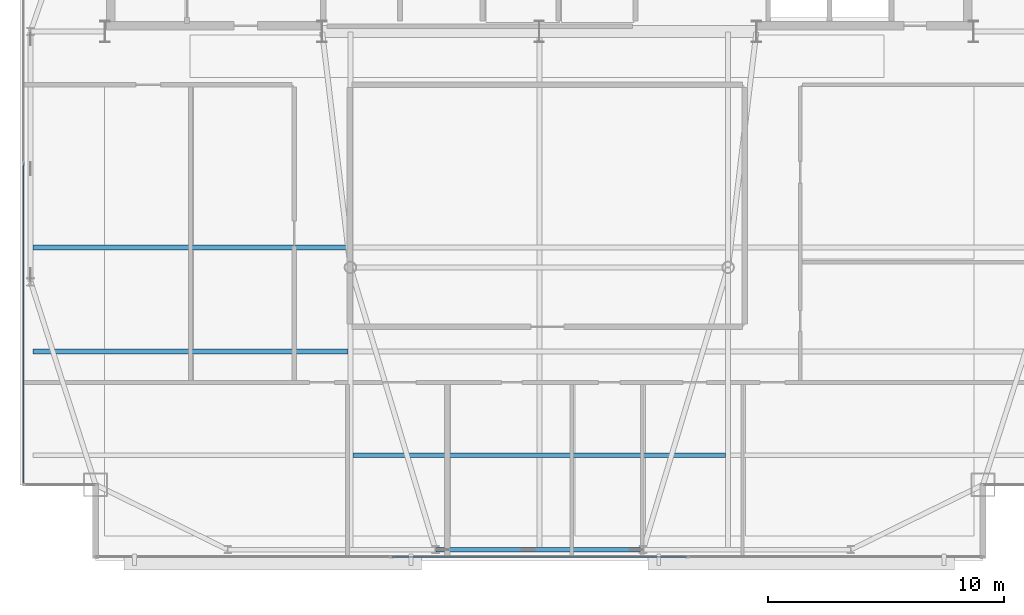
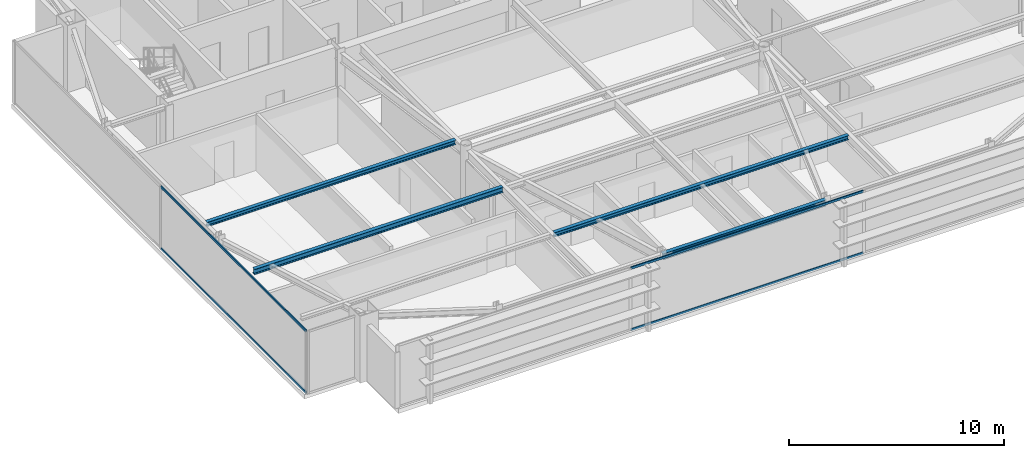
# One storey, part 7 of 24: 4 beams, 4 members, 2 elements without a shape of their own.
"""IFC4 building model written with IfcOpenShell, lengths in metres."""

from ifc_helpers import new_model, si_unit, direction, frame, origin, origin_2d, place, context, subcontext, project, spatial, hollow_rectangle, i_section, extrude, source, transform, mapped, material, layer, layer_set, material_profile, profile_set, type_object, type_shapes, element, aggregate, save


model = new_model("IFC4")

# Units and contexts
model_context = context("Model", 3, precision=1e-05, world=origin(), true_north=direction((0.0, 1.0)))
body_context = subcontext(model_context, "Body", "Model", "MODEL_VIEW")
ifc_project = project(units=[si_unit("LENGTHUNIT", "METRE"), si_unit("AREAUNIT", "SQUARE_METRE"), si_unit("VOLUMEUNIT", "CUBIC_METRE"), si_unit("PLANEANGLEUNIT", "RADIAN"), si_unit("MASSUNIT", "GRAM", prefix="KILO")], contexts=[model_context])

# Site, building, storey
site_placement = place(None, origin())
site = spatial("IfcSite", under=ifc_project, at=site_placement, CompositionType="ELEMENT")
building_placement = place(site_placement, origin())
building = spatial("IfcBuilding", under=site, at=building_placement, Name="Varnel Quay Broadcast Tower", CompositionType="ELEMENT")
storey_placement = place(building_placement, frame((0.0, 0.0, 292.60009765625)))
storey = spatial("IfcBuildingStorey", under=building, at=storey_placement, Name="L73", CompositionType="ELEMENT", Elevation=292.60009765625)

# Beams
ifc_material_1 = material(Name="Structural Steel CSA G40.21 350W", Category="steel")
ifc_material_profile_1 = material_profile(ifc_material_1, i_section(OverallWidth=0.205078125, OverallDepth=0.35400390625, WebThickness=0.009521484375, FlangeThickness=0.016845703125, FilletRadius=0.012939453125, at=origin_2d()), Name="W360X79")
ifc_profile_set_1 = profile_set([ifc_material_profile_1], Name="Structural Steel CSA G40.21 350W")
beam_type_1 = type_object("IfcBeamType", Name="Beam_W360X79", PredefinedType="SPANDREL", material=ifc_profile_set_1)
shared_shape_1 = source(origin(), body_context, "Body", "SweptSolid", [
    extrude(i_section(OverallWidth=0.205078125, OverallDepth=0.35400390625, WebThickness=0.009521484375, FlangeThickness=0.016845703125, FilletRadius=0.012939453125, at=origin_2d()), origin(), (0.0, 0.0, 1.0), 8.759765625),
])
type_shapes(beam_type_1, [shared_shape_1])
beam_1_placement = place(storey_placement, frame((29.6201171875, 13.64990234375, 3.372802734375), z_axis=(1.0, 0.0, 0.0), x_axis=(0.0, 1.0, 0.0)))
element("IfcBeam", 1, at=beam_1_placement, inside=storey, type_object=beam_type_1, Name="L73 South Spandrel TC-S2-TC-S3", PredefinedType="SPANDREL", context=body_context, shape_type="MappedRepresentation", body=[
    mapped(shared_shape_1, transform((0.0, 0.0, 0.0), x_axis=(1.0, 0.0, 0.0), y_axis=(0.0, 1.0, 0.0), z_axis=(0.0, 0.0, 1.0), scale=1.0)),
])
ifc_material_profile_2 = material_profile(ifc_material_1, i_section(OverallWidth=0.201904296875, OverallDepth=0.2470703125, WebThickness=0.00732421875, FlangeThickness=0.010986328125, FilletRadius=0.010986328125, at=origin_2d()), Name="W250X49")
ifc_profile_set_2 = profile_set([ifc_material_profile_2], Name="Structural Steel CSA G40.21 350W")
beam_type_2 = type_object("IfcBeamType", Name="Beam_W250X49", PredefinedType="JOIST", material=ifc_profile_set_2)
shared_shape_2 = source(origin(), body_context, "Body", "SweptSolid", [
    extrude(i_section(OverallWidth=0.201904296875, OverallDepth=0.2470703125, WebThickness=0.00732421875, FlangeThickness=0.010986328125, FilletRadius=0.010986328125, at=origin_2d()), origin(), (0.0, 0.0, 1.0), 13.351318359375),
])
beam_2_placement = place(storey_placement, frame((12.547607421875, 26.449951171875, 3.426513671875), z_axis=(1.0, 0.0, 0.0), x_axis=(0.0, 1.0, 0.0)))
element("IfcBeam", 2, at=beam_2_placement, inside=storey, type_object=beam_type_2, Name="L73 West Floor Joist 3", PredefinedType="JOIST", context=body_context, shape_type="MappedRepresentation", body=[
    mapped(shared_shape_2, transform((0.0, 0.0, 0.0), x_axis=(1.0, 0.0, 0.0), y_axis=(0.0, 1.0, 0.0), z_axis=(0.0, 0.0, 1.0), scale=1.0)),
])
shared_shape_3 = source(origin(), body_context, "Body", "SweptSolid", [
    extrude(i_section(OverallWidth=0.201904296875, OverallDepth=0.2470703125, WebThickness=0.00732421875, FlangeThickness=0.010986328125, FilletRadius=0.010986328125, at=origin_2d()), origin(), (0.0, 0.0, 1.0), 15.7978515625),
])
type_shapes(beam_type_2, [shared_shape_2, shared_shape_3])
beam_3_placement = place(storey_placement, frame((26.10107421875, 17.64990234375, 3.426513671875), z_axis=(1.0, 0.0, 0.0), x_axis=(0.0, 1.0, 0.0)))
element("IfcBeam", 3, at=beam_3_placement, inside=storey, type_object=beam_type_2, Name="L73 Central Floor Joist 1", PredefinedType="JOIST", context=body_context, shape_type="MappedRepresentation", body=[
    mapped(shared_shape_3, transform((0.0, 0.0, 0.0), x_axis=(1.0, 0.0, 0.0), y_axis=(0.0, 1.0, 0.0), z_axis=(0.0, 0.0, 1.0), scale=1.0)),
])
ifc_material_profile_3 = material_profile(ifc_material_1, i_section(OverallWidth=0.202880859375, OverallDepth=0.302978515625, WebThickness=0.007568359375, FlangeThickness=0.01318359375, FilletRadius=0.011962890625, at=origin_2d()), Name="W310X60")
ifc_profile_set_3 = profile_set([ifc_material_profile_3], Name="Structural Steel CSA G40.21 350W")
beam_type_3 = type_object("IfcBeamType", Name="Beam_W310X60", PredefinedType="JOIST", material=ifc_profile_set_3)
shared_shape_4 = source(origin(), body_context, "Body", "SweptSolid", [
    extrude(i_section(OverallWidth=0.202880859375, OverallDepth=0.302978515625, WebThickness=0.007568359375, FlangeThickness=0.01318359375, FilletRadius=0.011962890625, at=origin_2d()), origin(), (0.0, 0.0, 1.0), 13.351318359375),
])
type_shapes(beam_type_3, [shared_shape_4])
beam_4_placement = place(storey_placement, frame((12.547607421875, 22.050048828125, 3.3984375), z_axis=(1.0, 0.0, 0.0), x_axis=(0.0, 1.0, 0.0)))
element("IfcBeam", 4, at=beam_4_placement, inside=storey, type_object=beam_type_3, Name="L73 West Floor Joist 2", PredefinedType="JOIST", context=body_context, shape_type="MappedRepresentation", body=[
    mapped(shared_shape_4, transform((0.0, 0.0, 0.0), x_axis=(1.0, 0.0, 0.0), y_axis=(0.0, 1.0, 0.0), z_axis=(0.0, 0.0, 1.0), scale=1.0)),
])

# Curtain wall, members
ifc_material_2 = material(Name="Anodised Bronze Aluminium 6063-T6", Category="aluminium")
ifc_layer = layer(ifc_material_2, 0.18994140625, Name="Anodised Bronze Aluminium 6063-T6")
ifc_layer_set = layer_set([ifc_layer], Name="Anodised Bronze Aluminium 6063-T6")
curtain_wall_type = type_object("IfcCurtainWallType", Name="CW_UpperTower", PredefinedType="NOTDEFINED", material=ifc_layer_set)
curtain_wall_1_placement = place(storey_placement, origin())
curtain_wall_1 = element("IfcCurtainWall", 5, at=curtain_wall_1_placement, inside=storey, type_object=curtain_wall_type, Name="L73 West Unitised Curtain Wall", PredefinedType="NOTDEFINED")
ifc_material_profile_4 = material_profile(ifc_material_2, hollow_rectangle(XDim=0.06005859375, YDim=0.125, WallThickness=0.0029296875, at=origin_2d()), Name="ALU60X125X3")
ifc_profile_set_4 = profile_set([ifc_material_profile_4], Name="Anodised Bronze Aluminium 6063-T6")
member_type = type_object("IfcMemberType", Name="Tran_CWS-03", PredefinedType="USERDEFINED", material=ifc_profile_set_4)
shared_shape_5 = source(origin(), body_context, "Body", "SweptSolid", [
    extrude(hollow_rectangle(XDim=0.06005859375, YDim=0.125, WallThickness=0.0029296875, at=origin_2d()), origin(), (0.0, 0.0, 1.0), 13.50244140625),
])
member_1_placement = place(storey_placement, frame((12.14990234375, 16.465087890625, 0.02978515625), z_axis=(0.0, 1.0, 0.0), x_axis=(-1.0, 0.0, 0.0)))
member_1 = element("IfcMember", 6, at=member_1_placement, type_object=member_type, Name="CWS-03 transom 1.1", ObjectType="TRANSOM", PredefinedType="USERDEFINED", context=body_context, shape_type="MappedRepresentation", body=[
    mapped(shared_shape_5, transform((0.0, 0.0, 0.0), x_axis=(1.0, 0.0, 0.0), y_axis=(0.0, 1.0, 0.0), z_axis=(0.0, 0.0, 1.0), scale=1.0)),
])
member_2_placement = place(storey_placement, frame((12.14990234375, 16.465087890625, 3.52001953125), z_axis=(0.0, 1.0, 0.0), x_axis=(-1.0, 0.0, 0.0)))
member_2 = element("IfcMember", 7, at=member_2_placement, type_object=member_type, Name="CWS-03 transom 1.2", ObjectType="TRANSOM", PredefinedType="USERDEFINED", context=body_context, shape_type="MappedRepresentation", body=[
    mapped(shared_shape_5, transform((0.0, 0.0, 0.0), x_axis=(1.0, 0.0, 0.0), y_axis=(0.0, 1.0, 0.0), z_axis=(0.0, 0.0, 1.0), scale=1.0)),
])
aggregate(curtain_wall_1, [member_1, member_2])

curtain_wall_2_placement = place(storey_placement, origin())
curtain_wall_2 = element("IfcCurtainWall", 8, at=curtain_wall_2_placement, inside=storey, type_object=curtain_wall_type, Name="L73 South Unitised Curtain Wall 1", PredefinedType="NOTDEFINED")
shared_shape_6 = source(origin(), body_context, "Body", "SweptSolid", [
    extrude(hollow_rectangle(XDim=0.06005859375, YDim=0.125, WallThickness=0.0029296875, at=origin_2d()), origin(), (0.0, 0.0, 1.0), 12.46826171875),
])
type_shapes(member_type, [shared_shape_5, shared_shape_6])
member_3_placement = place(storey_placement, frame((27.765869140625, 13.35009765625, 0.02978515625), z_axis=(1.0, 0.0, 0.0), x_axis=(0.0, 1.0, 0.0)))
member_3 = element("IfcMember", 9, at=member_3_placement, type_object=member_type, Name="CWS-03 transom 2.1", ObjectType="TRANSOM", PredefinedType="USERDEFINED", context=body_context, shape_type="MappedRepresentation", body=[
    mapped(shared_shape_6, transform((0.0, 0.0, 0.0), x_axis=(1.0, 0.0, 0.0), y_axis=(0.0, 1.0, 0.0), z_axis=(0.0, 0.0, 1.0), scale=1.0)),
])
member_4_placement = place(storey_placement, frame((27.765869140625, 13.35009765625, 3.52001953125), z_axis=(1.0, 0.0, 0.0), x_axis=(0.0, 1.0, 0.0)))
member_4 = element("IfcMember", 10, at=member_4_placement, type_object=member_type, Name="CWS-03 transom 2.2", ObjectType="TRANSOM", PredefinedType="USERDEFINED", context=body_context, shape_type="MappedRepresentation", body=[
    mapped(shared_shape_6, transform((0.0, 0.0, 0.0), x_axis=(1.0, 0.0, 0.0), y_axis=(0.0, 1.0, 0.0), z_axis=(0.0, 0.0, 1.0), scale=1.0)),
])
aggregate(curtain_wall_2, [member_3, member_4])

save(model, "model.ifc")
